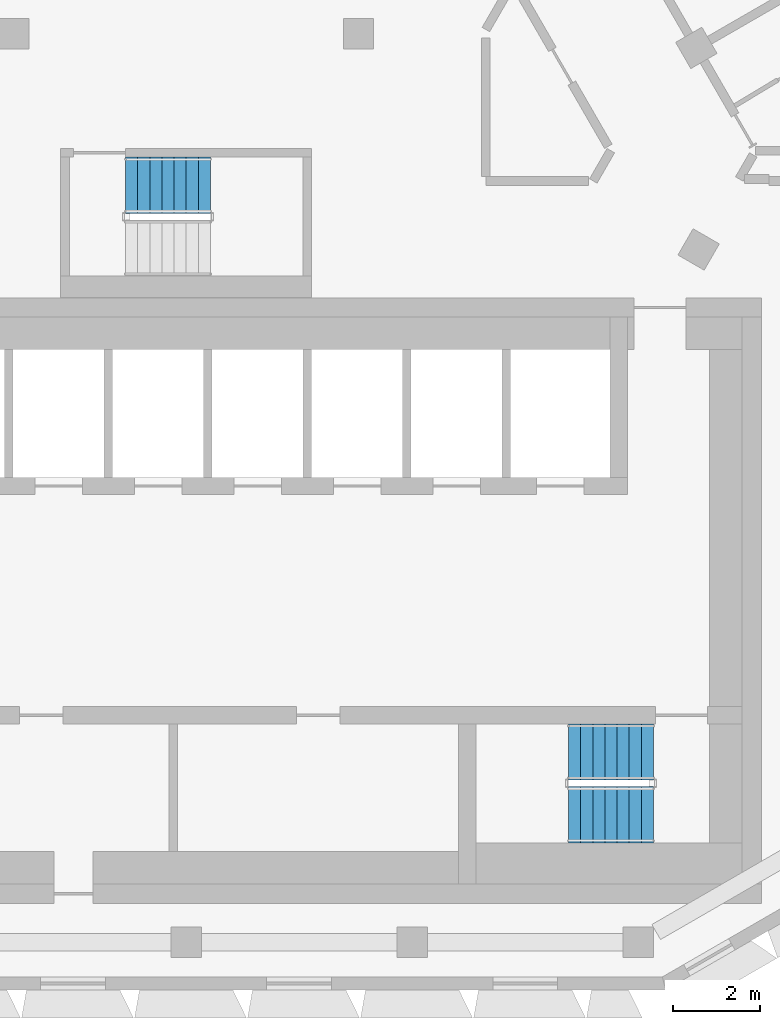
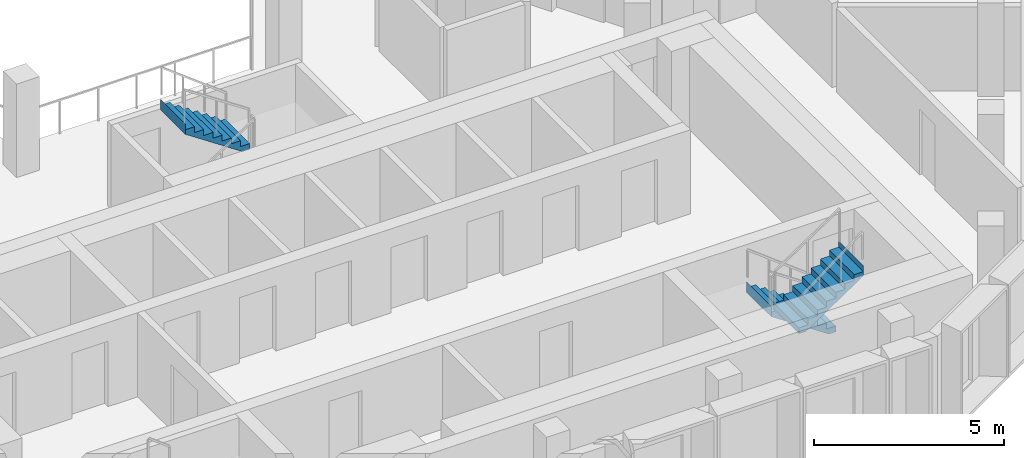
# One storey, part 9 of 14: 3 stair flights, 2 elements without a shape of their own.
"""IFC4 building model written with IfcOpenShell, lengths in metres."""

from ifc_helpers import new_model, si_unit, direction, frame, origin, place, context, subcontext, project, spatial, triangles, material, type_object, element, aggregate, save


model = new_model("IFC4")

# Units and contexts
model_context = context("Model", 3, precision=1e-05, world=origin(), true_north=direction((0.0, 1.0)))
body_context = subcontext(model_context, "Body", "Model", "MODEL_VIEW")
ifc_project = project(units=[si_unit("LENGTHUNIT", "METRE"), si_unit("AREAUNIT", "SQUARE_METRE"), si_unit("VOLUMEUNIT", "CUBIC_METRE"), si_unit("PLANEANGLEUNIT", "RADIAN"), si_unit("MASSUNIT", "GRAM", prefix="KILO")], contexts=[model_context])

# Site, building, storey
site_placement = place(None, origin())
site = spatial("IfcSite", under=ifc_project, at=site_placement, CompositionType="ELEMENT")
building_placement = place(site_placement, origin())
building = spatial("IfcBuilding", under=site, at=building_placement, Name="Beryl Residences", CompositionType="ELEMENT")
storey_placement = place(building_placement, frame((0.0, 0.0, 235.800048828125)))
storey = spatial("IfcBuildingStorey", under=building, at=storey_placement, Name="L73", CompositionType="ELEMENT", Elevation=235.800048828125)

# Stair, stair flights
ifc_material_1 = material(Name="Concrete C40/50", Category="concrete")
stair_type = type_object("IfcStairType", Name="ST1 protected exit stair, half-turn, 1300 mm flights", PredefinedType="HALF_TURN_STAIR", material=ifc_material_1)
stair_1_placement = place(storey_placement, origin())
stair_1 = element("IfcStair", 1, at=stair_1_placement, inside=storey, type_object=stair_type, Name="L73 PROTECTED EXIT STAIR ST-3", PredefinedType="HALF_TURN_STAIR")
ifc_material_2 = material(Name="Concrete C40/50", Category="concrete")
stair_flight_type = type_object("IfcStairFlightType", Name="SF1 stair flight 1300 mm", PredefinedType="STRAIGHT", material=ifc_material_2)
stair_flight_1_placement = place(storey_placement, frame((10.800048828125, -15.5, 0.0), z_axis=(0.0, 0.0, 1.0), x_axis=(-1.0, 0.0, 0.0)))
stair_flight_1 = element("IfcStairFlight", 2, at=stair_flight_1_placement, type_object=stair_flight_type, Name="ST-3 flight 1", NumberOfRisers=8, NumberOfTreads=7, PredefinedType="STRAIGHT", RiserHeight=0.1875, TreadLength=0.28, context=body_context, shape_type="Tessellation", body=[
    triangles([(0.0, -0.64990234375, 0.0), (0.0, -0.324951171875, 0.0), (0.0, 0.0, 0.0), (0.0, 0.324951171875, 0.0), (0.0, 0.64990234375, 0.0), (0.0, -0.64990234375, 0.1875), (0.0, -0.324951171875, 0.1875), (0.0, 0.0, 0.1875), (0.0, 0.324951171875, 0.1875), (0.0, 0.64990234375, 0.1875), (0.280029296875, -0.64990234375, 0.1875), (0.280029296875, -0.324951171875, 0.1875), (0.280029296875, 0.0, 0.1875), (0.280029296875, 0.324951171875, 0.1875), (0.280029296875, 0.64990234375, 0.1875), (0.280029296875, -0.64990234375, 0.375), (0.280029296875, -0.324951171875, 0.375), (0.280029296875, 0.0, 0.375), (0.280029296875, 0.324951171875, 0.375), (0.280029296875, 0.64990234375, 0.375), (0.56005859375, -0.64990234375, 0.375), (0.56005859375, -0.324951171875, 0.375), (0.56005859375, 0.0, 0.375), (0.56005859375, 0.324951171875, 0.375), (0.56005859375, 0.64990234375, 0.375), (0.56005859375, -0.64990234375, 0.5625), (0.56005859375, -0.324951171875, 0.5625), (0.56005859375, 0.0, 0.5625), (0.56005859375, 0.324951171875, 0.5625), (0.56005859375, 0.64990234375, 0.5625), (0.840087890625, -0.64990234375, 0.5625), (0.840087890625, -0.324951171875, 0.5625), (0.840087890625, 0.0, 0.5625), (0.840087890625, 0.324951171875, 0.5625), (0.840087890625, 0.64990234375, 0.5625), (0.840087890625, -0.64990234375, 0.75), (0.840087890625, -0.324951171875, 0.75), (0.840087890625, 0.0, 0.75), (0.840087890625, 0.324951171875, 0.75), (0.840087890625, 0.64990234375, 0.75), (1.1201171875, -0.64990234375, 0.75), (1.1201171875, -0.324951171875, 0.75), (1.1201171875, 0.0, 0.75), (1.1201171875, 0.324951171875, 0.75), (1.1201171875, 0.64990234375, 0.75), (1.1201171875, -0.64990234375, 0.9375), (1.1201171875, -0.324951171875, 0.9375), (1.1201171875, 0.0, 0.9375), (1.1201171875, 0.324951171875, 0.9375), (1.1201171875, 0.64990234375, 0.9375), (1.39990234375, -0.64990234375, 0.9375), (1.39990234375, -0.324951171875, 0.9375), (1.39990234375, 0.0, 0.9375), (1.39990234375, 0.324951171875, 0.9375), (1.39990234375, 0.64990234375, 0.9375), (1.39990234375, -0.64990234375, 1.125), (1.39990234375, -0.324951171875, 1.125), (1.39990234375, 0.0, 1.125), (1.39990234375, 0.324951171875, 1.125), (1.39990234375, 0.64990234375, 1.125), (1.679931640625, -0.64990234375, 1.125), (1.679931640625, -0.324951171875, 1.125), (1.679931640625, 0.0, 1.125), (1.679931640625, 0.324951171875, 1.125), (1.679931640625, 0.64990234375, 1.125), (1.679931640625, -0.64990234375, 1.3125), (1.679931640625, -0.324951171875, 1.3125), (1.679931640625, 0.0, 1.3125), (1.679931640625, 0.324951171875, 1.3125), (1.679931640625, 0.64990234375, 1.3125), (1.9599609375, -0.64990234375, 1.3125), (1.9599609375, -0.324951171875, 1.3125), (1.9599609375, 0.0, 1.3125), (1.9599609375, 0.324951171875, 1.3125), (1.9599609375, 0.64990234375, 1.3125), (1.9599609375, -0.64990234375, 1.5), (1.9599609375, -0.324951171875, 1.5), (1.9599609375, 0.0, 1.5), (1.9599609375, 0.324951171875, 1.5), (1.9599609375, 0.64990234375, 1.5), (1.9609375, -0.64990234375, 1.5), (1.9609375, -0.324951171875, 1.5), (1.9609375, 0.0, 1.5), (1.9609375, 0.324951171875, 1.5), (1.9609375, 0.64990234375, 1.5), (1.9609375, -0.64990234375, 1.16796875), (1.9609375, -0.324951171875, 1.16796875), (1.9609375, 0.0, 1.16796875), (1.9609375, 0.324951171875, 1.16796875), (1.9609375, 0.64990234375, 1.16796875), (0.216796875, -0.64990234375, 0.0), (0.216796875, -0.324951171875, 0.0), (0.216796875, 0.0, 0.0), (0.216796875, 0.324951171875, 0.0), (0.216796875, 0.64990234375, 0.0)], [[1, 6, 7], [1, 7, 2], [2, 7, 8], [2, 8, 3], [3, 8, 9], [3, 9, 4], [4, 9, 10], [4, 10, 5], [6, 11, 12], [6, 12, 7], [7, 12, 13], [7, 13, 8], [8, 13, 14], [8, 14, 9], [9, 14, 15], [9, 15, 10], [11, 16, 17], [11, 17, 12], [12, 17, 18], [12, 18, 13], [13, 18, 19], [13, 19, 14], [14, 19, 20], [14, 20, 15], [16, 21, 22], [16, 22, 17], [17, 22, 23], [17, 23, 18], [18, 23, 24], [18, 24, 19], [19, 24, 25], [19, 25, 20], [21, 26, 27], [21, 27, 22], [22, 27, 28], [22, 28, 23], [23, 28, 29], [23, 29, 24], [24, 29, 30], [24, 30, 25], [26, 31, 32], [26, 32, 27], [27, 32, 33], [27, 33, 28], [28, 33, 34], [28, 34, 29], [29, 34, 35], [29, 35, 30], [31, 36, 37], [31, 37, 32], [32, 37, 38], [32, 38, 33], [33, 38, 39], [33, 39, 34], [34, 39, 40], [34, 40, 35], [36, 41, 42], [36, 42, 37], [37, 42, 43], [37, 43, 38], [38, 43, 44], [38, 44, 39], [39, 44, 45], [39, 45, 40], [41, 46, 47], [41, 47, 42], [42, 47, 48], [42, 48, 43], [43, 48, 49], [43, 49, 44], [44, 49, 50], [44, 50, 45], [46, 51, 52], [46, 52, 47], [47, 52, 53], [47, 53, 48], [48, 53, 54], [48, 54, 49], [49, 54, 55], [49, 55, 50], [51, 56, 57], [51, 57, 52], [52, 57, 58], [52, 58, 53], [53, 58, 59], [53, 59, 54], [54, 59, 60], [54, 60, 55], [56, 61, 62], [56, 62, 57], [57, 62, 63], [57, 63, 58], [58, 63, 64], [58, 64, 59], [59, 64, 65], [59, 65, 60], [61, 66, 67], [61, 67, 62], [62, 67, 68], [62, 68, 63], [63, 68, 69], [63, 69, 64], [64, 69, 70], [64, 70, 65], [66, 71, 72], [66, 72, 67], [67, 72, 73], [67, 73, 68], [68, 73, 74], [68, 74, 69], [69, 74, 75], [69, 75, 70], [71, 76, 77], [71, 77, 72], [72, 77, 78], [72, 78, 73], [73, 78, 79], [73, 79, 74], [74, 79, 80], [74, 80, 75], [76, 81, 82], [76, 82, 77], [77, 82, 83], [77, 83, 78], [78, 83, 84], [78, 84, 79], [79, 84, 85], [79, 85, 80], [81, 86, 87], [81, 87, 82], [82, 87, 88], [82, 88, 83], [83, 88, 89], [83, 89, 84], [84, 89, 90], [84, 90, 85], [86, 91, 92], [86, 92, 87], [87, 92, 93], [87, 93, 88], [88, 93, 94], [88, 94, 89], [89, 94, 95], [89, 95, 90], [91, 1, 2], [91, 2, 92], [92, 2, 3], [92, 3, 93], [93, 3, 4], [93, 4, 94], [94, 4, 5], [94, 5, 95], [1, 91, 86], [5, 90, 95], [86, 81, 76], [90, 80, 85], [86, 76, 71], [90, 75, 80], [86, 71, 66], [90, 70, 75], [86, 66, 61], [90, 65, 70], [61, 56, 51], [65, 55, 60], [86, 61, 51], [90, 55, 65], [51, 46, 41], [55, 45, 50], [86, 51, 41], [90, 45, 55], [41, 36, 31], [45, 35, 40], [86, 41, 31], [90, 35, 45], [31, 26, 21], [35, 25, 30], [86, 31, 21], [90, 25, 35], [21, 16, 11], [25, 15, 20], [86, 21, 11], [90, 15, 25], [1, 86, 11], [5, 15, 90], [11, 6, 1], [15, 5, 10]], closed=True),
])
stair_flight_2_placement = place(storey_placement, frame((8.840087890625, -16.949951171875, 1.5), z_axis=(0.0, 0.0, 1.0), x_axis=(1.0, 0.0, 0.0)))
stair_flight_2 = element("IfcStairFlight", 3, at=stair_flight_2_placement, type_object=stair_flight_type, Name="ST-3 flight 2", NumberOfRisers=8, NumberOfTreads=7, PredefinedType="STRAIGHT", RiserHeight=0.1875, TreadLength=0.28, context=body_context, shape_type="Tessellation", body=[
    triangles([(0.0, -0.64990234375, 0.0), (0.0, -0.324951171875, 0.0), (0.0, 0.0, 0.0), (0.0, 0.324951171875, 0.0), (0.0, 0.64990234375, 0.0), (0.0, -0.64990234375, 0.1875), (0.0, -0.324951171875, 0.1875), (0.0, 0.0, 0.1875), (0.0, 0.324951171875, 0.1875), (0.0, 0.64990234375, 0.1875), (0.280029296875, -0.64990234375, 0.1875), (0.280029296875, -0.324951171875, 0.1875), (0.280029296875, 0.0, 0.1875), (0.280029296875, 0.324951171875, 0.1875), (0.280029296875, 0.64990234375, 0.1875), (0.280029296875, -0.64990234375, 0.375), (0.280029296875, -0.324951171875, 0.375), (0.280029296875, 0.0, 0.375), (0.280029296875, 0.324951171875, 0.375), (0.280029296875, 0.64990234375, 0.375), (0.56005859375, -0.64990234375, 0.375), (0.56005859375, -0.324951171875, 0.375), (0.56005859375, 0.0, 0.375), (0.56005859375, 0.324951171875, 0.375), (0.56005859375, 0.64990234375, 0.375), (0.56005859375, -0.64990234375, 0.5625), (0.56005859375, -0.324951171875, 0.5625), (0.56005859375, 0.0, 0.5625), (0.56005859375, 0.324951171875, 0.5625), (0.56005859375, 0.64990234375, 0.5625), (0.840087890625, -0.64990234375, 0.5625), (0.840087890625, -0.324951171875, 0.5625), (0.840087890625, 0.0, 0.5625), (0.840087890625, 0.324951171875, 0.5625), (0.840087890625, 0.64990234375, 0.5625), (0.840087890625, -0.64990234375, 0.75), (0.840087890625, -0.324951171875, 0.75), (0.840087890625, 0.0, 0.75), (0.840087890625, 0.324951171875, 0.75), (0.840087890625, 0.64990234375, 0.75), (1.1201171875, -0.64990234375, 0.75), (1.1201171875, -0.324951171875, 0.75), (1.1201171875, 0.0, 0.75), (1.1201171875, 0.324951171875, 0.75), (1.1201171875, 0.64990234375, 0.75), (1.1201171875, -0.64990234375, 0.9375), (1.1201171875, -0.324951171875, 0.9375), (1.1201171875, 0.0, 0.9375), (1.1201171875, 0.324951171875, 0.9375), (1.1201171875, 0.64990234375, 0.9375), (1.39990234375, -0.64990234375, 0.9375), (1.39990234375, -0.324951171875, 0.9375), (1.39990234375, 0.0, 0.9375), (1.39990234375, 0.324951171875, 0.9375), (1.39990234375, 0.64990234375, 0.9375), (1.39990234375, -0.64990234375, 1.125), (1.39990234375, -0.324951171875, 1.125), (1.39990234375, 0.0, 1.125), (1.39990234375, 0.324951171875, 1.125), (1.39990234375, 0.64990234375, 1.125), (1.679931640625, -0.64990234375, 1.125), (1.679931640625, -0.324951171875, 1.125), (1.679931640625, 0.0, 1.125), (1.679931640625, 0.324951171875, 1.125), (1.679931640625, 0.64990234375, 1.125), (1.679931640625, -0.64990234375, 1.3125), (1.679931640625, -0.324951171875, 1.3125), (1.679931640625, 0.0, 1.3125), (1.679931640625, 0.324951171875, 1.3125), (1.679931640625, 0.64990234375, 1.3125), (1.9599609375, -0.64990234375, 1.3125), (1.9599609375, -0.324951171875, 1.3125), (1.9599609375, 0.0, 1.3125), (1.9599609375, 0.324951171875, 1.3125), (1.9599609375, 0.64990234375, 1.3125), (1.9599609375, -0.64990234375, 1.5), (1.9599609375, -0.324951171875, 1.5), (1.9599609375, 0.0, 1.5), (1.9599609375, 0.324951171875, 1.5), (1.9599609375, 0.64990234375, 1.5), (1.9609375, -0.64990234375, 1.5), (1.9609375, -0.324951171875, 1.5), (1.9609375, 0.0, 1.5), (1.9609375, 0.324951171875, 1.5), (1.9609375, 0.64990234375, 1.5), (1.9609375, -0.64990234375, 1.16796875), (1.9609375, -0.324951171875, 1.16796875), (1.9609375, 0.0, 1.16796875), (1.9609375, 0.324951171875, 1.16796875), (1.9609375, 0.64990234375, 1.16796875), (0.216796875, -0.64990234375, 0.0), (0.216796875, -0.324951171875, 0.0), (0.216796875, 0.0, 0.0), (0.216796875, 0.324951171875, 0.0), (0.216796875, 0.64990234375, 0.0)], [[1, 6, 7], [1, 7, 2], [2, 7, 8], [2, 8, 3], [3, 8, 9], [3, 9, 4], [4, 9, 10], [4, 10, 5], [6, 11, 12], [6, 12, 7], [7, 12, 13], [7, 13, 8], [8, 13, 14], [8, 14, 9], [9, 14, 15], [9, 15, 10], [11, 16, 17], [11, 17, 12], [12, 17, 18], [12, 18, 13], [13, 18, 19], [13, 19, 14], [14, 19, 20], [14, 20, 15], [16, 21, 22], [16, 22, 17], [17, 22, 23], [17, 23, 18], [18, 23, 24], [18, 24, 19], [19, 24, 25], [19, 25, 20], [21, 26, 27], [21, 27, 22], [22, 27, 28], [22, 28, 23], [23, 28, 29], [23, 29, 24], [24, 29, 30], [24, 30, 25], [26, 31, 32], [26, 32, 27], [27, 32, 33], [27, 33, 28], [28, 33, 34], [28, 34, 29], [29, 34, 35], [29, 35, 30], [31, 36, 37], [31, 37, 32], [32, 37, 38], [32, 38, 33], [33, 38, 39], [33, 39, 34], [34, 39, 40], [34, 40, 35], [36, 41, 42], [36, 42, 37], [37, 42, 43], [37, 43, 38], [38, 43, 44], [38, 44, 39], [39, 44, 45], [39, 45, 40], [41, 46, 47], [41, 47, 42], [42, 47, 48], [42, 48, 43], [43, 48, 49], [43, 49, 44], [44, 49, 50], [44, 50, 45], [46, 51, 52], [46, 52, 47], [47, 52, 53], [47, 53, 48], [48, 53, 54], [48, 54, 49], [49, 54, 55], [49, 55, 50], [51, 56, 57], [51, 57, 52], [52, 57, 58], [52, 58, 53], [53, 58, 59], [53, 59, 54], [54, 59, 60], [54, 60, 55], [56, 61, 62], [56, 62, 57], [57, 62, 63], [57, 63, 58], [58, 63, 64], [58, 64, 59], [59, 64, 65], [59, 65, 60], [61, 66, 67], [61, 67, 62], [62, 67, 68], [62, 68, 63], [63, 68, 69], [63, 69, 64], [64, 69, 70], [64, 70, 65], [66, 71, 72], [66, 72, 67], [67, 72, 73], [67, 73, 68], [68, 73, 74], [68, 74, 69], [69, 74, 75], [69, 75, 70], [71, 76, 77], [71, 77, 72], [72, 77, 78], [72, 78, 73], [73, 78, 79], [73, 79, 74], [74, 79, 80], [74, 80, 75], [76, 81, 82], [76, 82, 77], [77, 82, 83], [77, 83, 78], [78, 83, 84], [78, 84, 79], [79, 84, 85], [79, 85, 80], [81, 86, 87], [81, 87, 82], [82, 87, 88], [82, 88, 83], [83, 88, 89], [83, 89, 84], [84, 89, 90], [84, 90, 85], [86, 91, 92], [86, 92, 87], [87, 92, 93], [87, 93, 88], [88, 93, 94], [88, 94, 89], [89, 94, 95], [89, 95, 90], [91, 1, 2], [91, 2, 92], [92, 2, 3], [92, 3, 93], [93, 3, 4], [93, 4, 94], [94, 4, 5], [94, 5, 95], [1, 91, 86], [5, 90, 95], [86, 81, 76], [90, 80, 85], [86, 76, 71], [90, 75, 80], [86, 71, 66], [90, 70, 75], [86, 66, 61], [90, 65, 70], [61, 56, 51], [65, 55, 60], [86, 61, 51], [90, 55, 65], [51, 46, 41], [55, 45, 50], [86, 51, 41], [90, 45, 55], [41, 36, 31], [45, 35, 40], [86, 41, 31], [90, 35, 45], [31, 26, 21], [35, 25, 30], [86, 31, 21], [90, 25, 35], [21, 16, 11], [25, 15, 20], [86, 21, 11], [90, 15, 25], [1, 86, 11], [5, 15, 90], [11, 6, 1], [15, 5, 10]], closed=True),
])
aggregate(stair_1, [stair_flight_1, stair_flight_2])

# Stair, stair flight
stair_2_placement = place(storey_placement, origin())
stair_2 = element("IfcStair", 4, at=stair_2_placement, inside=storey, type_object=stair_type, Name="L73 PROTECTED EXIT STAIR ST-4", PredefinedType="HALF_TURN_STAIR")
stair_flight_3_placement = place(storey_placement, frame((0.56005859375, -2.39990234375, 1.5), z_axis=(0.0, 0.0, 1.0), x_axis=(-1.0, 0.0, 0.0)))
stair_flight_3 = element("IfcStairFlight", 5, at=stair_flight_3_placement, type_object=stair_flight_type, Name="ST-4 flight 2", NumberOfRisers=8, NumberOfTreads=7, PredefinedType="STRAIGHT", RiserHeight=0.1875, TreadLength=0.28, context=body_context, shape_type="Tessellation", body=[
    triangles([(0.0, -0.64990234375, 0.0), (0.0, -0.324951171875, 0.0), (0.0, 0.0, 0.0), (0.0, 0.324951171875, 0.0), (0.0, 0.64990234375, 0.0), (0.0, -0.64990234375, 0.1875), (0.0, -0.324951171875, 0.1875), (0.0, 0.0, 0.1875), (0.0, 0.324951171875, 0.1875), (0.0, 0.64990234375, 0.1875), (0.280029296875, -0.64990234375, 0.1875), (0.280029296875, -0.324951171875, 0.1875), (0.280029296875, 0.0, 0.1875), (0.280029296875, 0.324951171875, 0.1875), (0.280029296875, 0.64990234375, 0.1875), (0.280029296875, -0.64990234375, 0.375), (0.280029296875, -0.324951171875, 0.375), (0.280029296875, 0.0, 0.375), (0.280029296875, 0.324951171875, 0.375), (0.280029296875, 0.64990234375, 0.375), (0.56005859375, -0.64990234375, 0.375), (0.56005859375, -0.324951171875, 0.375), (0.56005859375, 0.0, 0.375), (0.56005859375, 0.324951171875, 0.375), (0.56005859375, 0.64990234375, 0.375), (0.56005859375, -0.64990234375, 0.5625), (0.56005859375, -0.324951171875, 0.5625), (0.56005859375, 0.0, 0.5625), (0.56005859375, 0.324951171875, 0.5625), (0.56005859375, 0.64990234375, 0.5625), (0.840087890625, -0.64990234375, 0.5625), (0.840087890625, -0.324951171875, 0.5625), (0.840087890625, 0.0, 0.5625), (0.840087890625, 0.324951171875, 0.5625), (0.840087890625, 0.64990234375, 0.5625), (0.840087890625, -0.64990234375, 0.75), (0.840087890625, -0.324951171875, 0.75), (0.840087890625, 0.0, 0.75), (0.840087890625, 0.324951171875, 0.75), (0.840087890625, 0.64990234375, 0.75), (1.1201171875, -0.64990234375, 0.75), (1.1201171875, -0.324951171875, 0.75), (1.1201171875, 0.0, 0.75), (1.1201171875, 0.324951171875, 0.75), (1.1201171875, 0.64990234375, 0.75), (1.1201171875, -0.64990234375, 0.9375), (1.1201171875, -0.324951171875, 0.9375), (1.1201171875, 0.0, 0.9375), (1.1201171875, 0.324951171875, 0.9375), (1.1201171875, 0.64990234375, 0.9375), (1.39990234375, -0.64990234375, 0.9375), (1.39990234375, -0.324951171875, 0.9375), (1.39990234375, 0.0, 0.9375), (1.39990234375, 0.324951171875, 0.9375), (1.39990234375, 0.64990234375, 0.9375), (1.39990234375, -0.64990234375, 1.125), (1.39990234375, -0.324951171875, 1.125), (1.39990234375, 0.0, 1.125), (1.39990234375, 0.324951171875, 1.125), (1.39990234375, 0.64990234375, 1.125), (1.679931640625, -0.64990234375, 1.125), (1.679931640625, -0.324951171875, 1.125), (1.679931640625, 0.0, 1.125), (1.679931640625, 0.324951171875, 1.125), (1.679931640625, 0.64990234375, 1.125), (1.679931640625, -0.64990234375, 1.3125), (1.679931640625, -0.324951171875, 1.3125), (1.679931640625, 0.0, 1.3125), (1.679931640625, 0.324951171875, 1.3125), (1.679931640625, 0.64990234375, 1.3125), (1.9599609375, -0.64990234375, 1.3125), (1.9599609375, -0.324951171875, 1.3125), (1.9599609375, 0.0, 1.3125), (1.9599609375, 0.324951171875, 1.3125), (1.9599609375, 0.64990234375, 1.3125), (1.9599609375, -0.64990234375, 1.5), (1.9599609375, -0.324951171875, 1.5), (1.9599609375, 0.0, 1.5), (1.9599609375, 0.324951171875, 1.5), (1.9599609375, 0.64990234375, 1.5), (1.9609375, -0.64990234375, 1.5), (1.9609375, -0.324951171875, 1.5), (1.9609375, 0.0, 1.5), (1.9609375, 0.324951171875, 1.5), (1.9609375, 0.64990234375, 1.5), (1.9609375, -0.64990234375, 1.16796875), (1.9609375, -0.324951171875, 1.16796875), (1.9609375, 0.0, 1.16796875), (1.9609375, 0.324951171875, 1.16796875), (1.9609375, 0.64990234375, 1.16796875), (0.216796875, -0.64990234375, 0.0), (0.216796875, -0.324951171875, 0.0), (0.216796875, 0.0, 0.0), (0.216796875, 0.324951171875, 0.0), (0.216796875, 0.64990234375, 0.0)], [[1, 6, 7], [1, 7, 2], [2, 7, 8], [2, 8, 3], [3, 8, 9], [3, 9, 4], [4, 9, 10], [4, 10, 5], [6, 11, 12], [6, 12, 7], [7, 12, 13], [7, 13, 8], [8, 13, 14], [8, 14, 9], [9, 14, 15], [9, 15, 10], [11, 16, 17], [11, 17, 12], [12, 17, 18], [12, 18, 13], [13, 18, 19], [13, 19, 14], [14, 19, 20], [14, 20, 15], [16, 21, 22], [16, 22, 17], [17, 22, 23], [17, 23, 18], [18, 23, 24], [18, 24, 19], [19, 24, 25], [19, 25, 20], [21, 26, 27], [21, 27, 22], [22, 27, 28], [22, 28, 23], [23, 28, 29], [23, 29, 24], [24, 29, 30], [24, 30, 25], [26, 31, 32], [26, 32, 27], [27, 32, 33], [27, 33, 28], [28, 33, 34], [28, 34, 29], [29, 34, 35], [29, 35, 30], [31, 36, 37], [31, 37, 32], [32, 37, 38], [32, 38, 33], [33, 38, 39], [33, 39, 34], [34, 39, 40], [34, 40, 35], [36, 41, 42], [36, 42, 37], [37, 42, 43], [37, 43, 38], [38, 43, 44], [38, 44, 39], [39, 44, 45], [39, 45, 40], [41, 46, 47], [41, 47, 42], [42, 47, 48], [42, 48, 43], [43, 48, 49], [43, 49, 44], [44, 49, 50], [44, 50, 45], [46, 51, 52], [46, 52, 47], [47, 52, 53], [47, 53, 48], [48, 53, 54], [48, 54, 49], [49, 54, 55], [49, 55, 50], [51, 56, 57], [51, 57, 52], [52, 57, 58], [52, 58, 53], [53, 58, 59], [53, 59, 54], [54, 59, 60], [54, 60, 55], [56, 61, 62], [56, 62, 57], [57, 62, 63], [57, 63, 58], [58, 63, 64], [58, 64, 59], [59, 64, 65], [59, 65, 60], [61, 66, 67], [61, 67, 62], [62, 67, 68], [62, 68, 63], [63, 68, 69], [63, 69, 64], [64, 69, 70], [64, 70, 65], [66, 71, 72], [66, 72, 67], [67, 72, 73], [67, 73, 68], [68, 73, 74], [68, 74, 69], [69, 74, 75], [69, 75, 70], [71, 76, 77], [71, 77, 72], [72, 77, 78], [72, 78, 73], [73, 78, 79], [73, 79, 74], [74, 79, 80], [74, 80, 75], [76, 81, 82], [76, 82, 77], [77, 82, 83], [77, 83, 78], [78, 83, 84], [78, 84, 79], [79, 84, 85], [79, 85, 80], [81, 86, 87], [81, 87, 82], [82, 87, 88], [82, 88, 83], [83, 88, 89], [83, 89, 84], [84, 89, 90], [84, 90, 85], [86, 91, 92], [86, 92, 87], [87, 92, 93], [87, 93, 88], [88, 93, 94], [88, 94, 89], [89, 94, 95], [89, 95, 90], [91, 1, 2], [91, 2, 92], [92, 2, 3], [92, 3, 93], [93, 3, 4], [93, 4, 94], [94, 4, 5], [94, 5, 95], [1, 91, 86], [5, 90, 95], [86, 81, 76], [90, 80, 85], [86, 76, 71], [90, 75, 80], [86, 71, 66], [90, 70, 75], [86, 66, 61], [90, 65, 70], [61, 56, 51], [65, 55, 60], [86, 61, 51], [90, 55, 65], [51, 46, 41], [55, 45, 50], [86, 51, 41], [90, 45, 55], [41, 36, 31], [45, 35, 40], [86, 41, 31], [90, 35, 45], [31, 26, 21], [35, 25, 30], [86, 31, 21], [90, 25, 35], [21, 16, 11], [25, 15, 20], [86, 21, 11], [90, 15, 25], [1, 86, 11], [5, 15, 90], [11, 6, 1], [15, 5, 10]], closed=True),
])
aggregate(stair_2, [stair_flight_3])

save(model, "model.ifc")
